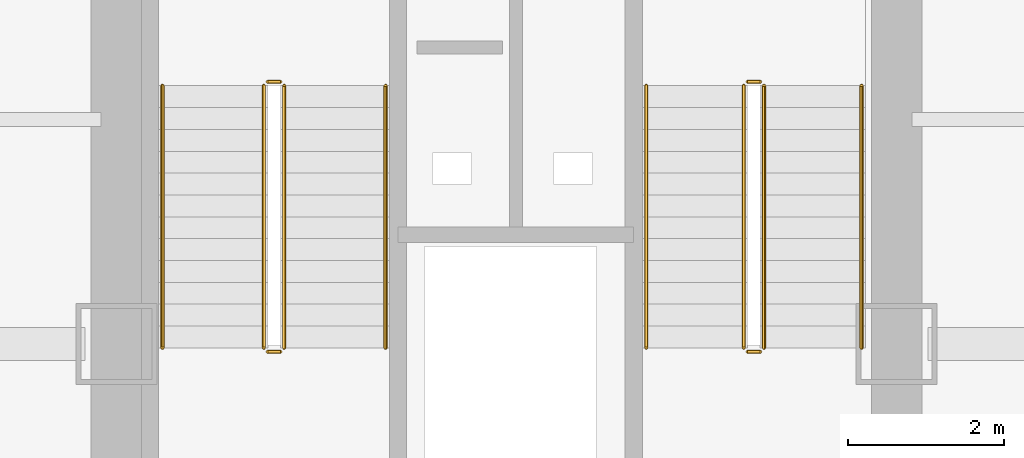
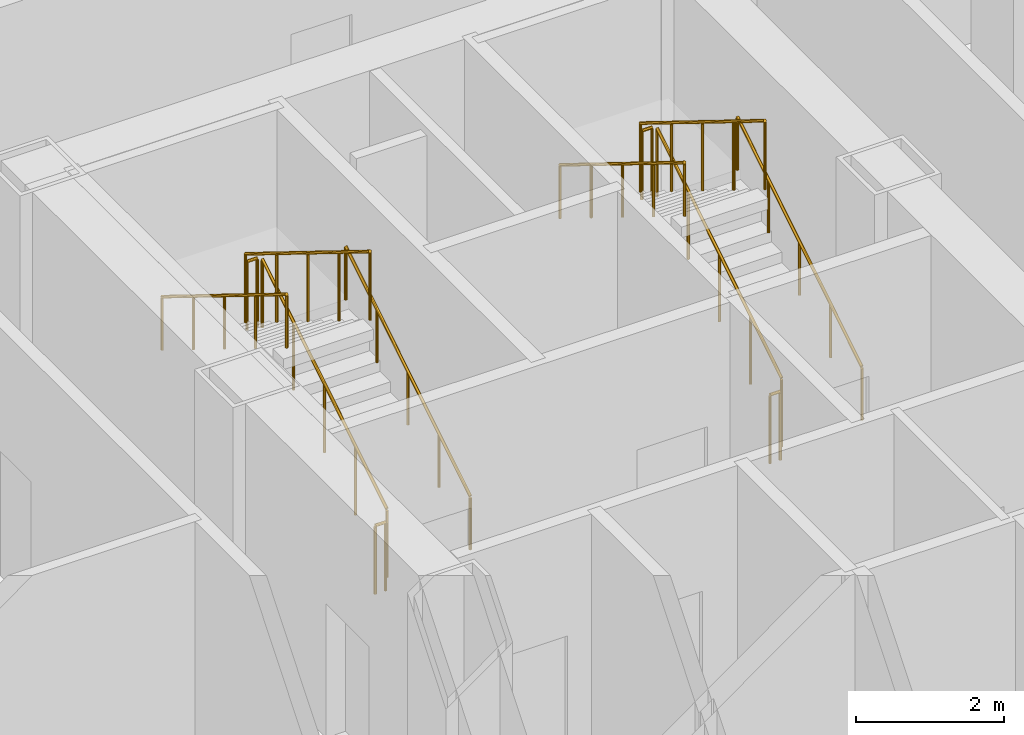
# One storey, part 26 of 27: 12 railings.
"""IFC4 building model written with IfcOpenShell, lengths in metres."""

from ifc_helpers import new_model, si_unit, direction, frame, origin, origin_2d, place, context, subcontext, project, spatial, circle, extrude, material, type_object, element, save


model = new_model("IFC4")

# Units and contexts
model_context = context("Model", 3, precision=1e-05, world=origin(), true_north=direction((0.0, 1.0)))
body_context = subcontext(model_context, "Body", "Model", "MODEL_VIEW")
ifc_project = project(units=[si_unit("LENGTHUNIT", "METRE"), si_unit("AREAUNIT", "SQUARE_METRE"), si_unit("VOLUMEUNIT", "CUBIC_METRE"), si_unit("PLANEANGLEUNIT", "RADIAN"), si_unit("MASSUNIT", "GRAM", prefix="KILO")], contexts=[model_context])

# Site, building, storey
site_placement = place(None, origin())
site = spatial("IfcSite", under=ifc_project, at=site_placement, CompositionType="ELEMENT")
building_placement = place(site_placement, origin())
building = spatial("IfcBuilding", under=site, at=building_placement, Name="Kolveth Station Tower", CompositionType="ELEMENT")
storey_placement = place(building_placement, frame((0.0, 0.0, 13.5)))
storey = spatial("IfcBuildingStorey", under=building, at=storey_placement, Name="L03", CompositionType="ELEMENT", Elevation=13.5)

# Railings
ifc_material_1 = material(Name="Painted Steel S355 balustrade", Category="steel")
railing_type_1 = type_object("IfcRailingType", Name="Guard_GR2", PredefinedType="BALUSTRADE", material=ifc_material_1)
railing_1_placement = place(storey_placement, frame((20.64990234375, 22.949951171875, 0.173095703125)))
element("IfcRailing", 1, at=railing_1_placement, inside=storey, type_object=railing_type_1, Name="L03 ST1 stair guard 1", PredefinedType="BALUSTRADE", context=body_context, shape_type="SweptSolid", body=[
    extrude(circle(Radius=0.02392578125, at=origin_2d()), frame((0.0, 0.0, 1.1259765625), z_axis=(0.0, 0.850623216509, 0.525775754039), x_axis=(-1.0, 0.0, 0.0)), (0.0, 0.0, 1.0), 3.9501953125),
    extrude(circle(Radius=0.02099609375, at=origin_2d()), origin(), (0.0, 0.0, 1.0), 1.101806640625),
    extrude(circle(Radius=0.02099609375, at=origin_2d()), frame((0.0, 0.840087890625, 0.519287109375)), (0.0, 0.0, 1.0), 1.101806640625),
    extrude(circle(Radius=0.02099609375, at=origin_2d()), frame((0.0, 1.68017578125, 1.03857421875)), (0.0, 0.0, 1.0), 1.101806640625),
    extrude(circle(Radius=0.02099609375, at=origin_2d()), frame((0.0, 2.52001953125, 1.5576171875)), (0.0, 0.0, 1.0), 1.101806640625),
    extrude(circle(Radius=0.02099609375, at=origin_2d()), frame((0.0, 3.360107421875, 2.076904296875)), (0.0, 0.0, 1.0), 1.101806640625),
])
railing_2_placement = place(storey_placement, frame((20.60009765625, 26.360107421875, 2.25)))
element("IfcRailing", 2, at=railing_2_placement, inside=storey, type_object=railing_type_1, Name="L03 ST1 stair guard 2", PredefinedType="BALUSTRADE", context=body_context, shape_type="SweptSolid", body=[
    extrude(circle(Radius=0.02392578125, at=origin_2d()), frame((0.0, 0.0, 1.1259765625), z_axis=(-1.0, 0.0, 0.0), x_axis=(0.0, -1.0, 0.0)), (0.0, 0.0, 1.0), 0.16015625),
    extrude(circle(Radius=0.02099609375, at=origin_2d()), origin(), (0.0, 0.0, 1.0), 1.101806640625),
    extrude(circle(Radius=0.02099609375, at=origin_2d()), frame((-0.16015625, 0.0, 0.0)), (0.0, 0.0, 1.0), 1.101806640625),
])
railing_3_placement = place(storey_placement, frame((20.389892578125, 26.31005859375, 2.423095703125)))
element("IfcRailing", 3, at=railing_3_placement, inside=storey, type_object=railing_type_1, Name="L03 ST1 stair guard 3", PredefinedType="BALUSTRADE", context=body_context, shape_type="SweptSolid", body=[
    extrude(circle(Radius=0.02392578125, at=origin_2d()), frame((0.0, 0.0, 1.1259765625), z_axis=(0.0, -0.850623216509, 0.525775754039), x_axis=(1.0, 0.0, 0.0)), (0.0, 0.0, 1.0), 3.9501953125),
    extrude(circle(Radius=0.02099609375, at=origin_2d()), origin(), (0.0, 0.0, 1.0), 1.101806640625),
    extrude(circle(Radius=0.02099609375, at=origin_2d()), frame((0.0, -0.840087890625, 0.519287109375)), (0.0, 0.0, 1.0), 1.101806640625),
    extrude(circle(Radius=0.02099609375, at=origin_2d()), frame((0.0, -1.68017578125, 1.03857421875)), (0.0, 0.0, 1.0), 1.101806640625),
    extrude(circle(Radius=0.02099609375, at=origin_2d()), frame((0.0, -2.52001953125, 1.5576171875)), (0.0, 0.0, 1.0), 1.101806640625),
    extrude(circle(Radius=0.02099609375, at=origin_2d()), frame((0.0, -3.360107421875, 2.076904296875)), (0.0, 0.0, 1.0), 1.101806640625),
])
railing_4_placement = place(storey_placement, frame((20.60009765625, 22.89990234375, 0.0)))
element("IfcRailing", 4, at=railing_4_placement, inside=storey, type_object=railing_type_1, Name="L03 ST1 stair guard 4", PredefinedType="BALUSTRADE", context=body_context, shape_type="SweptSolid", body=[
    extrude(circle(Radius=0.02392578125, at=origin_2d()), frame((0.0, 0.0, 1.1259765625), z_axis=(-1.0, 0.0, 0.0), x_axis=(0.0, -1.0, 0.0)), (0.0, 0.0, 1.0), 0.16015625),
    extrude(circle(Radius=0.02099609375, at=origin_2d()), origin(), (0.0, 0.0, 1.0), 1.101806640625),
    extrude(circle(Radius=0.02099609375, at=origin_2d()), frame((-0.16015625, 0.0, 0.0)), (0.0, 0.0, 1.0), 1.101806640625),
])
railing_5_placement = place(storey_placement, frame((26.800048828125, 22.949951171875, 0.173095703125)))
element("IfcRailing", 5, at=railing_5_placement, inside=storey, type_object=railing_type_1, Name="L03 ST2 stair guard 1", PredefinedType="BALUSTRADE", context=body_context, shape_type="SweptSolid", body=[
    extrude(circle(Radius=0.02392578125, at=origin_2d()), frame((0.0, 0.0, 1.1259765625), z_axis=(0.0, 0.850623216509, 0.525775754039), x_axis=(-1.0, 0.0, 0.0)), (0.0, 0.0, 1.0), 3.9501953125),
    extrude(circle(Radius=0.02099609375, at=origin_2d()), origin(), (0.0, 0.0, 1.0), 1.101806640625),
    extrude(circle(Radius=0.02099609375, at=origin_2d()), frame((0.0, 0.840087890625, 0.519287109375)), (0.0, 0.0, 1.0), 1.101806640625),
    extrude(circle(Radius=0.02099609375, at=origin_2d()), frame((0.0, 1.68017578125, 1.03857421875)), (0.0, 0.0, 1.0), 1.101806640625),
    extrude(circle(Radius=0.02099609375, at=origin_2d()), frame((0.0, 2.52001953125, 1.5576171875)), (0.0, 0.0, 1.0), 1.101806640625),
    extrude(circle(Radius=0.02099609375, at=origin_2d()), frame((0.0, 3.360107421875, 2.076904296875)), (0.0, 0.0, 1.0), 1.101806640625),
])
railing_6_placement = place(storey_placement, frame((26.75, 26.360107421875, 2.25)))
element("IfcRailing", 6, at=railing_6_placement, inside=storey, type_object=railing_type_1, Name="L03 ST2 stair guard 2", PredefinedType="BALUSTRADE", context=body_context, shape_type="SweptSolid", body=[
    extrude(circle(Radius=0.02392578125, at=origin_2d()), frame((0.0, 0.0, 1.1259765625), z_axis=(-1.0, 0.0, 0.0), x_axis=(0.0, -1.0, 0.0)), (0.0, 0.0, 1.0), 0.159912109375),
    extrude(circle(Radius=0.02099609375, at=origin_2d()), origin(), (0.0, 0.0, 1.0), 1.101806640625),
    extrude(circle(Radius=0.02099609375, at=origin_2d()), frame((-0.159912109375, 0.0, 0.0)), (0.0, 0.0, 1.0), 1.101806640625),
])
railing_7_placement = place(storey_placement, frame((26.5400390625, 26.31005859375, 2.423095703125)))
element("IfcRailing", 7, at=railing_7_placement, inside=storey, type_object=railing_type_1, Name="L03 ST2 stair guard 3", PredefinedType="BALUSTRADE", context=body_context, shape_type="SweptSolid", body=[
    extrude(circle(Radius=0.02392578125, at=origin_2d()), frame((0.0, 0.0, 1.1259765625), z_axis=(0.0, -0.850623216509, 0.525775754039), x_axis=(1.0, 0.0, 0.0)), (0.0, 0.0, 1.0), 3.9501953125),
    extrude(circle(Radius=0.02099609375, at=origin_2d()), origin(), (0.0, 0.0, 1.0), 1.101806640625),
    extrude(circle(Radius=0.02099609375, at=origin_2d()), frame((0.0, -0.840087890625, 0.519287109375)), (0.0, 0.0, 1.0), 1.101806640625),
    extrude(circle(Radius=0.02099609375, at=origin_2d()), frame((0.0, -1.68017578125, 1.03857421875)), (0.0, 0.0, 1.0), 1.101806640625),
    extrude(circle(Radius=0.02099609375, at=origin_2d()), frame((0.0, -2.52001953125, 1.5576171875)), (0.0, 0.0, 1.0), 1.101806640625),
    extrude(circle(Radius=0.02099609375, at=origin_2d()), frame((0.0, -3.360107421875, 2.076904296875)), (0.0, 0.0, 1.0), 1.101806640625),
])
railing_8_placement = place(storey_placement, frame((26.75, 22.89990234375, 0.0)))
element("IfcRailing", 8, at=railing_8_placement, inside=storey, type_object=railing_type_1, Name="L03 ST2 stair guard 4", PredefinedType="BALUSTRADE", context=body_context, shape_type="SweptSolid", body=[
    extrude(circle(Radius=0.02392578125, at=origin_2d()), frame((0.0, 0.0, 1.1259765625), z_axis=(-1.0, 0.0, 0.0), x_axis=(0.0, -1.0, 0.0)), (0.0, 0.0, 1.0), 0.159912109375),
    extrude(circle(Radius=0.02099609375, at=origin_2d()), origin(), (0.0, 0.0, 1.0), 1.101806640625),
    extrude(circle(Radius=0.02099609375, at=origin_2d()), frame((-0.159912109375, 0.0, 0.0)), (0.0, 0.0, 1.0), 1.101806640625),
])
ifc_material_2 = material(Name="Brushed stainless steel", Category="steel")
railing_type_2 = type_object("IfcRailingType", Name="Handrail_HR1", PredefinedType="HANDRAIL", material=ifc_material_2)
railing_9_placement = place(storey_placement, frame((21.949951171875, 22.949951171875, 0.173095703125)))
element("IfcRailing", 9, at=railing_9_placement, inside=storey, type_object=railing_type_2, Name="L03 ST1 stair handrail 1", PredefinedType="HANDRAIL", context=body_context, shape_type="SweptSolid", body=[
    extrude(circle(Radius=0.02392578125, at=origin_2d()), frame((0.0, 0.0, 0.8759765625), z_axis=(0.0, 0.850623216509, 0.525775754039), x_axis=(-1.0, 0.0, 0.0)), (0.0, 0.0, 1.0), 3.9501953125),
    extrude(circle(Radius=0.02099609375, at=origin_2d()), origin(), (0.0, 0.0, 1.0), 0.851806640625),
    extrude(circle(Radius=0.02099609375, at=origin_2d()), frame((0.0, 0.840087890625, 0.519287109375)), (0.0, 0.0, 1.0), 0.851806640625),
    extrude(circle(Radius=0.02099609375, at=origin_2d()), frame((0.0, 1.68017578125, 1.03857421875)), (0.0, 0.0, 1.0), 0.851806640625),
    extrude(circle(Radius=0.02099609375, at=origin_2d()), frame((0.0, 2.52001953125, 1.5576171875)), (0.0, 0.0, 1.0), 0.851806640625),
    extrude(circle(Radius=0.02099609375, at=origin_2d()), frame((0.0, 3.360107421875, 2.076904296875)), (0.0, 0.0, 1.0), 0.851806640625),
])
railing_10_placement = place(storey_placement, frame((19.090087890625, 26.31005859375, 2.423095703125)))
element("IfcRailing", 10, at=railing_10_placement, inside=storey, type_object=railing_type_2, Name="L03 ST1 stair handrail 2", PredefinedType="HANDRAIL", context=body_context, shape_type="SweptSolid", body=[
    extrude(circle(Radius=0.02392578125, at=origin_2d()), frame((0.0, 0.0, 0.8759765625), z_axis=(0.0, -0.850623216509, 0.525775754039), x_axis=(1.0, 0.0, 0.0)), (0.0, 0.0, 1.0), 3.9501953125),
    extrude(circle(Radius=0.02099609375, at=origin_2d()), origin(), (0.0, 0.0, 1.0), 0.851806640625),
    extrude(circle(Radius=0.02099609375, at=origin_2d()), frame((0.0, -0.840087890625, 0.519287109375)), (0.0, 0.0, 1.0), 0.851806640625),
    extrude(circle(Radius=0.02099609375, at=origin_2d()), frame((0.0, -1.68017578125, 1.03857421875)), (0.0, 0.0, 1.0), 0.851806640625),
    extrude(circle(Radius=0.02099609375, at=origin_2d()), frame((0.0, -2.52001953125, 1.5576171875)), (0.0, 0.0, 1.0), 0.851806640625),
    extrude(circle(Radius=0.02099609375, at=origin_2d()), frame((0.0, -3.360107421875, 2.076904296875)), (0.0, 0.0, 1.0), 0.851806640625),
])
railing_11_placement = place(storey_placement, frame((28.050048828125, 22.949951171875, 0.173095703125)))
element("IfcRailing", 11, at=railing_11_placement, inside=storey, type_object=railing_type_2, Name="L03 ST2 stair handrail 1", PredefinedType="HANDRAIL", context=body_context, shape_type="SweptSolid", body=[
    extrude(circle(Radius=0.02392578125, at=origin_2d()), frame((0.0, 0.0, 0.8759765625), z_axis=(0.0, 0.850623216509, 0.525775754039), x_axis=(-1.0, 0.0, 0.0)), (0.0, 0.0, 1.0), 3.9501953125),
    extrude(circle(Radius=0.02099609375, at=origin_2d()), origin(), (0.0, 0.0, 1.0), 0.851806640625),
    extrude(circle(Radius=0.02099609375, at=origin_2d()), frame((0.0, 0.840087890625, 0.519287109375)), (0.0, 0.0, 1.0), 0.851806640625),
    extrude(circle(Radius=0.02099609375, at=origin_2d()), frame((0.0, 1.68017578125, 1.03857421875)), (0.0, 0.0, 1.0), 0.851806640625),
    extrude(circle(Radius=0.02099609375, at=origin_2d()), frame((0.0, 2.52001953125, 1.5576171875)), (0.0, 0.0, 1.0), 0.851806640625),
    extrude(circle(Radius=0.02099609375, at=origin_2d()), frame((0.0, 3.360107421875, 2.076904296875)), (0.0, 0.0, 1.0), 0.851806640625),
])
railing_12_placement = place(storey_placement, frame((25.2900390625, 26.31005859375, 2.423095703125)))
element("IfcRailing", 12, at=railing_12_placement, inside=storey, type_object=railing_type_2, Name="L03 ST2 stair handrail 2", PredefinedType="HANDRAIL", context=body_context, shape_type="SweptSolid", body=[
    extrude(circle(Radius=0.02392578125, at=origin_2d()), frame((0.0, 0.0, 0.8759765625), z_axis=(0.0, -0.850623216509, 0.525775754039), x_axis=(1.0, 0.0, 0.0)), (0.0, 0.0, 1.0), 3.9501953125),
    extrude(circle(Radius=0.02099609375, at=origin_2d()), origin(), (0.0, 0.0, 1.0), 0.851806640625),
    extrude(circle(Radius=0.02099609375, at=origin_2d()), frame((0.0, -0.840087890625, 0.519287109375)), (0.0, 0.0, 1.0), 0.851806640625),
    extrude(circle(Radius=0.02099609375, at=origin_2d()), frame((0.0, -1.68017578125, 1.03857421875)), (0.0, 0.0, 1.0), 0.851806640625),
    extrude(circle(Radius=0.02099609375, at=origin_2d()), frame((0.0, -2.52001953125, 1.5576171875)), (0.0, 0.0, 1.0), 0.851806640625),
    extrude(circle(Radius=0.02099609375, at=origin_2d()), frame((0.0, -3.360107421875, 2.076904296875)), (0.0, 0.0, 1.0), 0.851806640625),
])

save(model, "model.ifc")
